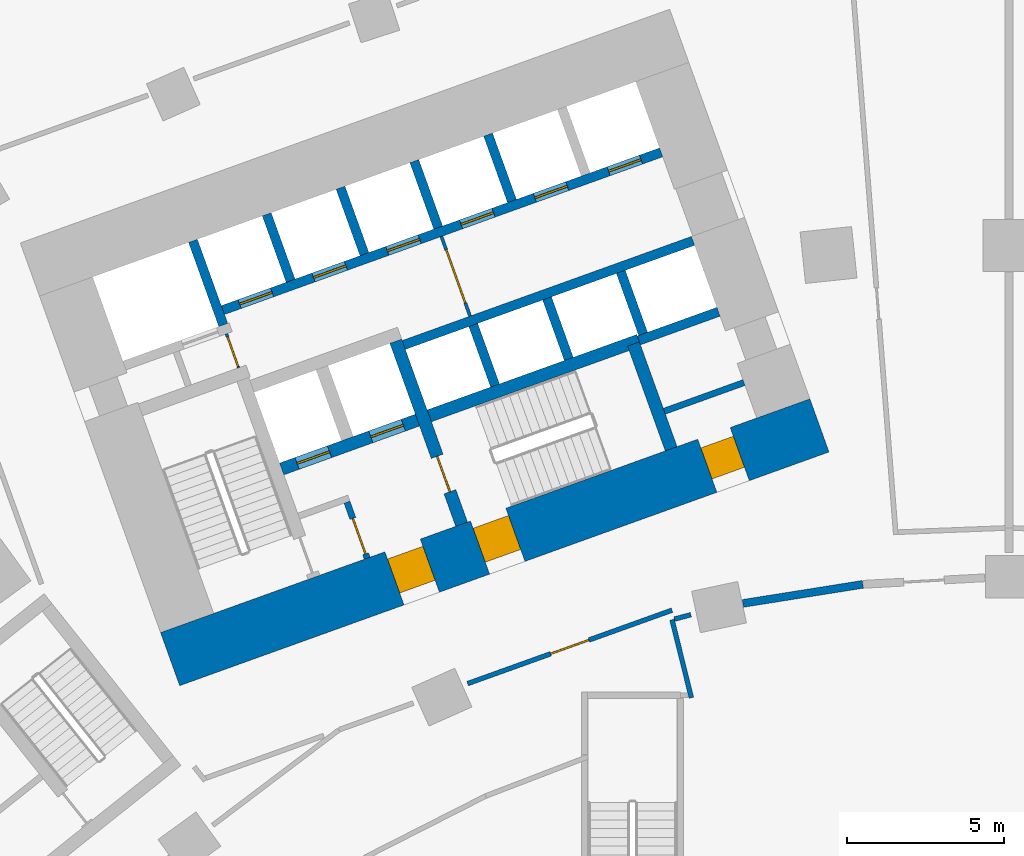
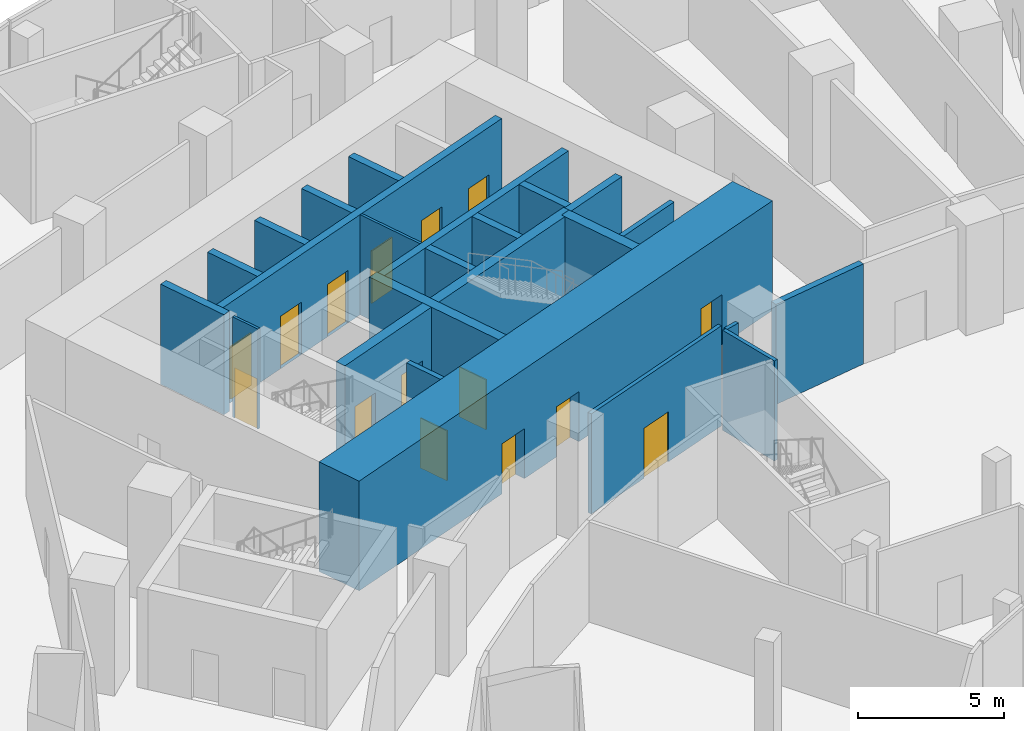
# One storey, part 23 of 39: 23 walls, 16 doors, 16 openings.
"""IFC4 building model written with IfcOpenShell, lengths in metres."""

from ifc_helpers import new_model, si_unit, direction, frame, frame_2d, origin, place, context, subcontext, project, spatial, rectangle, extrude, material, layer, layer_set, type_object, element, fill, save


model = new_model("IFC4")

# Units and contexts
model_context = context("Model", 3, precision=1e-05, world=origin(), true_north=direction((0.0, 1.0)))
body_context = subcontext(model_context, "Body", "Model", "MODEL_VIEW")
ifc_project = project(units=[si_unit("LENGTHUNIT", "METRE"), si_unit("AREAUNIT", "SQUARE_METRE"), si_unit("VOLUMEUNIT", "CUBIC_METRE"), si_unit("PLANEANGLEUNIT", "RADIAN"), si_unit("MASSUNIT", "GRAM", prefix="KILO")], contexts=[model_context])

# Site, building, storey
site_placement = place(None, origin())
site = spatial("IfcSite", under=ifc_project, at=site_placement, CompositionType="ELEMENT")
building_placement = place(site_placement, origin())
building = spatial("IfcBuilding", under=site, at=building_placement, Name="Stone Belt Terrace Tower", CompositionType="ELEMENT")
storey_placement = place(building_placement, frame((0.0, 0.0, 16.199951171875)))
storey = spatial("IfcBuildingStorey", under=building, at=storey_placement, Name="L03", CompositionType="ELEMENT", Elevation=16.199951171875)

# Wall, opening, door
ifc_material_1 = material(Name="Plasterboard partition")
ifc_layer_1 = layer(ifc_material_1, 0.10009765625)
ifc_layer_set_1 = layer_set([ifc_layer_1], Name="Core partition 100")
wall_type_1 = type_object("IfcWallType", Name="Core partition 100", PredefinedType="PARTITIONING", material=ifc_layer_set_1)
wall_1_placement = place(storey_placement, frame((-24.555908203125, 51.10400390625, 0.0), z_axis=(0.0, 0.0, 1.0), x_axis=(-0.338621735342, 0.94092258999, 0.0)))
wall_1 = element("IfcWall", 1, at=wall_1_placement, inside=storey, type_object=wall_type_1, Name="Core A wall", PredefinedType="PARTITIONING", context=body_context, shape_type="SweptSolid", body=[
    extrude(rectangle(XDim=1.14990234375, YDim=0.10009765625, at=frame_2d((0.574951171875, 0.0))), origin(), (0.0, 0.0, 1.0), 4.199951171875),
])
opening_1_placement = place(wall_1_placement, frame((0.050048828125, 0.0, 0.0)))
opening_1 = element("IfcOpeningElement", 2, at=opening_1_placement, cuts=wall_1, Name="Opening L03-C02", PredefinedType="OPENING", context=body_context, shape_type="SweptSolid", body=[
    extrude(rectangle(XDim=1.0, YDim=2.10009765625, at=frame_2d((0.5, 1.050048828125))), frame((0.0, 0.06005859375, 0.0), z_axis=(0.0, -1.0, 0.0), x_axis=(1.0, 0.0, 0.0)), (0.0, 0.0, 1.0), 0.1201171875),
])
ifc_material_2 = material(Name="Timber door leaf", Category="wood")
door_type_1 = type_object("IfcDoorType", Name="Core room door 1000", OperationType="SINGLE_SWING_LEFT", PredefinedType="DOOR", material=ifc_material_2)
door_1_placement = place(opening_1_placement, origin())
door_1 = element("IfcDoor", 3, at=door_1_placement, inside=storey, type_object=door_type_1, Name="Service lift lobby door core A", OperationType="SINGLE_SWING_RIGHT", OverallHeight=2.10009765625, OverallWidth=1.0, PredefinedType="DOOR", context=body_context, shape_type="SweptSolid", body=[
    extrude(rectangle(XDim=1.0, YDim=2.10009765625, at=frame_2d((0.5, 1.050048828125))), frame((0.0, 0.02490234375, 0.0), z_axis=(0.0, -1.0, 0.0), x_axis=(1.0, 0.0, 0.0)), (0.0, 0.0, 1.0), 0.050048828125),
])
fill(opening_1, door_1)

wall_2_placement = place(storey_placement, frame((-17.17724609375, 52.749755859375, 0.0), z_axis=(0.0, 0.0, 1.0), x_axis=(-0.338546555931, 0.940949642365, 0.0)))
wall_2 = element("IfcWall", 4, at=wall_2_placement, inside=storey, type_object=wall_type_1, Name="Core A wall", PredefinedType="PARTITIONING", context=body_context, shape_type="SweptSolid", body=[
    extrude(rectangle(XDim=2.699951171875, YDim=0.10009765625, at=frame_2d((1.35009765625, 0.0))), origin(), (0.0, 0.0, 1.0), 4.199951171875),
])
opening_2_placement = place(wall_2_placement, frame((0.449951171875, 0.0, 0.0)))
opening_2 = element("IfcOpeningElement", 5, at=opening_2_placement, cuts=wall_2, Name="Opening L03-C03", PredefinedType="OPENING", context=body_context, shape_type="SweptSolid", body=[
    extrude(rectangle(XDim=1.800048828125, YDim=2.10009765625, at=frame_2d((0.89990234375, 1.050048828125))), frame((0.0, 0.06005859375, 0.0), z_axis=(0.0, -1.0, 0.0), x_axis=(1.0, 0.0, 0.0)), (0.0, 0.0, 1.0), 0.1201171875),
])
ifc_material_3 = material(Name="Glazed aluminium door leaf", Category="aluminium")
door_type_2 = type_object("IfcDoorType", Name="Lift lobby entrance door 1800", OperationType="DOUBLE_DOOR_SINGLE_SWING", PredefinedType="DOOR", material=ifc_material_3)
door_2_placement = place(opening_2_placement, origin())
door_2 = element("IfcDoor", 6, at=door_2_placement, inside=storey, type_object=door_type_2, Name="Lift lobby double door core A", OperationType="DOUBLE_DOOR_SINGLE_SWING", OverallHeight=2.10009765625, OverallWidth=1.800048828125, PredefinedType="DOOR", context=body_context, shape_type="SweptSolid", body=[
    extrude(rectangle(XDim=1.800048828125, YDim=2.10009765625, at=frame_2d((0.89990234375, 1.050048828125))), frame((0.0, 0.02490234375, 0.0), z_axis=(0.0, -1.0, 0.0), x_axis=(1.0, 0.0, 0.0)), (0.0, 0.0, 1.0), 0.050048828125),
])
fill(opening_2, door_2)

# Wall, openings, doors
ifc_material_4 = material(Name="Concrete B80", Category="concrete")
ifc_layer_2 = layer(ifc_material_4, 1.800048828125)
ifc_layer_set_2 = layer_set([ifc_layer_2], Name="Core wall 1800 B80")
wall_type_2 = type_object("IfcWallType", Name="Core wall 1800 B80", PredefinedType="SHEAR", material=ifc_layer_set_2)
wall_3_placement = place(storey_placement, frame((-26.739501953125, 41.815673828125, 0.0), z_axis=(0.0, 0.0, 1.0), x_axis=(0.940921642213, 0.338624368902, 0.0)))
wall_3 = element("IfcWall", 7, at=wall_3_placement, inside=storey, type_object=wall_type_2, Name="Core A wall concave L03", PredefinedType="SHEAR", context=body_context, shape_type="SweptSolid", body=[
    extrude(rectangle(XDim=22.0, YDim=1.800048828125, at=frame_2d((11.0, 0.0))), origin(), (0.0, 0.0, 1.0), 4.60009765625),
])
opening_3_placement = place(wall_3_placement, frame((7.60009765625, 0.0, 0.0)))
opening_3 = element("IfcOpeningElement", 8, at=opening_3_placement, cuts=wall_3, Name="Opening L03-C07", PredefinedType="OPENING", context=body_context, shape_type="SweptSolid", body=[
    extrude(rectangle(XDim=1.199951171875, YDim=2.10009765625, at=frame_2d((0.60009765625, 1.050048828125))), frame((0.0, 0.909912109375, 0.0), z_axis=(0.0, -1.0, 0.0), x_axis=(1.0, 0.0, 0.0)), (0.0, 0.0, 1.0), 1.820068359375),
])
opening_4_placement = place(wall_3_placement, frame((10.5, 0.0, 0.0)))
opening_4 = element("IfcOpeningElement", 9, at=opening_4_placement, cuts=wall_3, Name="Opening L03-C09", PredefinedType="OPENING", context=body_context, shape_type="SweptSolid", body=[
    extrude(rectangle(XDim=1.199951171875, YDim=2.10009765625, at=frame_2d((0.60009765625, 1.050048828125))), frame((0.0, 0.909912109375, 0.0), z_axis=(0.0, -1.0, 0.0), x_axis=(1.0, 0.0, 0.0)), (0.0, 0.0, 1.0), 1.820068359375),
])
opening_5_placement = place(wall_3_placement, frame((18.199951171875, 0.0, 0.0)))
opening_5 = element("IfcOpeningElement", 10, at=opening_5_placement, cuts=wall_3, Name="Opening L03-C11", PredefinedType="OPENING", context=body_context, shape_type="SweptSolid", body=[
    extrude(rectangle(XDim=1.10009765625, YDim=2.10009765625, at=frame_2d((0.550048828125, 1.050048828125))), frame((0.0, 0.909912109375, 0.0), z_axis=(0.0, -1.0, 0.0), x_axis=(1.0, 0.0, 0.0)), (0.0, 0.0, 1.0), 1.820068359375),
])
door_type_3 = type_object("IfcDoorType", Name="Core room door 1100", OperationType="SINGLE_SWING_LEFT", PredefinedType="DOOR", material=ifc_material_2)
door_3_placement = place(opening_5_placement, origin())
door_3 = element("IfcDoor", 11, at=door_3_placement, inside=storey, type_object=door_type_3, Name="Door to Pipe riser core A", OperationType="SINGLE_SWING_RIGHT", OverallHeight=2.10009765625, OverallWidth=1.10009765625, PredefinedType="DOOR", context=body_context, shape_type="SweptSolid", body=[
    extrude(rectangle(XDim=1.10009765625, YDim=2.10009765625, at=frame_2d((0.550048828125, 1.050048828125))), frame((0.0, 0.60498046875, 0.0), z_axis=(0.0, -1.0, 0.0), x_axis=(1.0, 0.0, 0.0)), (0.0, 0.0, 1.0), 1.050048828125),
])
fill(opening_5, door_3)
ifc_material_5 = material(Name="Steel door leaf", Category="steel")
door_type_4 = type_object("IfcDoorType", Name="Fire-fighting lobby door 1200", OperationType="SINGLE_SWING_LEFT", PredefinedType="DOOR", material=ifc_material_5)
door_4_placement = place(opening_3_placement, origin())
door_4 = element("IfcDoor", 12, at=door_4_placement, inside=storey, type_object=door_type_4, Name="Fire-fighting lobby door core A", OperationType="SINGLE_SWING_RIGHT", OverallHeight=2.10009765625, OverallWidth=1.199951171875, PredefinedType="DOOR", context=body_context, shape_type="SweptSolid", body=[
    extrude(rectangle(XDim=1.199951171875, YDim=2.10009765625, at=frame_2d((0.60009765625, 1.050048828125))), frame((0.0, 0.655029296875, 0.0), z_axis=(0.0, -1.0, 0.0), x_axis=(1.0, 0.0, 0.0)), (0.0, 0.0, 1.0), 1.14990234375),
])
fill(opening_3, door_4)
door_type_5 = type_object("IfcDoorType", Name="Stair door 1200", OperationType="SINGLE_SWING_LEFT", PredefinedType="DOOR", material=ifc_material_5)
door_5_placement = place(opening_4_placement, origin())
door_5 = element("IfcDoor", 13, at=door_5_placement, inside=storey, type_object=door_type_5, Name="Stair 2 exit door core A", OperationType="SINGLE_SWING_LEFT", OverallHeight=2.10009765625, OverallWidth=1.199951171875, PredefinedType="DOOR", context=body_context, shape_type="SweptSolid", body=[
    extrude(rectangle(XDim=1.199951171875, YDim=2.10009765625, at=frame_2d((0.60009765625, 1.050048828125))), frame((0.0, 0.655029296875, 0.0), z_axis=(0.0, -1.0, 0.0), x_axis=(1.0, 0.0, 0.0)), (0.0, 0.0, 1.0), 1.14990234375),
])
fill(opening_4, door_5)

# Walls
ifc_material_6 = material(Name="Fire-resistant glazing in steel frame", Category="steel")
ifc_layer_3 = layer(ifc_material_6, 0.25)
ifc_layer_set_3 = layer_set([ifc_layer_3], Name="Glazed compartment fire screen 250")
wall_type_3 = type_object("IfcWallType", Name="Glazed compartment fire screen 250", PredefinedType="PARTITIONING", material=ifc_layer_set_3)
wall_4_placement = place(storey_placement, frame((-8.4794921875, 43.5908203125, 0.0), z_axis=(0.0, 0.0, 1.0), x_axis=(0.98758230791, 0.157102466888, 0.0)))
element("IfcWall", 14, at=wall_4_placement, inside=storey, type_object=wall_type_3, Name="Compartment fire screen L03 4", PredefinedType="PARTITIONING", context=body_context, shape_type="SweptSolid", body=[
    extrude(rectangle(XDim=3.87109375, YDim=0.25, at=frame_2d((1.935546875, 0.0))), origin(), (0.0, 0.0, 1.0), 4.199951171875),
])
ifc_layer_4 = layer(ifc_material_4, 0.300048828125)
ifc_layer_set_4 = layer_set([ifc_layer_4], Name="Lift shaft wall 300")
wall_type_4 = type_object("IfcWallType", Name="Lift shaft wall 300", PredefinedType="SHEAR", material=ifc_layer_set_4)
wall_5_placement = place(storey_placement, frame((-25.046875, 52.46826171875, 0.0), z_axis=(0.0, 0.0, 1.0), x_axis=(-0.338549588058, 0.940948551423, 0.0)))
element("IfcWall", 15, at=wall_5_placement, inside=storey, type_object=wall_type_4, Name="Core A wall", PredefinedType="SHEAR", context=body_context, shape_type="SweptSolid", body=[
    extrude(rectangle(XDim=2.849853515625, YDim=0.300048828125, at=frame_2d((1.4248046875, 0.0))), origin(), (0.0, 0.0, 1.0), 4.199951171875),
])

# Wall, openings, doors
wall_6_placement = place(storey_placement, frame((-25.05810546875, 52.9423828125, 0.0), z_axis=(0.0, 0.0, 1.0), x_axis=(0.940918215764, 0.338633889685, 0.0)))
wall_6 = element("IfcWall", 16, at=wall_6_placement, inside=storey, type_object=wall_type_4, Name="Core A wall", PredefinedType="SHEAR", context=body_context, shape_type="SweptSolid", body=[
    extrude(rectangle(XDim=14.850341796875, YDim=0.300048828125, at=frame_2d((7.42529296875, 0.0))), origin(), (0.0, 0.0, 1.0), 4.199951171875),
])
opening_6_placement = place(wall_6_placement, frame((0.570068359375, 0.0, 0.0)))
opening_6 = element("IfcOpeningElement", 17, at=opening_6_placement, cuts=wall_6, Name="Opening L03-LD01", PredefinedType="OPENING", context=body_context, shape_type="SweptSolid", body=[
    extrude(rectangle(XDim=1.10009765625, YDim=2.199951171875, at=frame_2d((0.550048828125, 1.10009765625))), frame((0.0, 0.159912109375, 0.0), z_axis=(0.0, -1.0, 0.0), x_axis=(1.0, 0.0, 0.0)), (0.0, 0.0, 1.0), 0.320068359375),
])
opening_7_placement = place(wall_6_placement, frame((3.070068359375, 0.0, 0.0)))
opening_7 = element("IfcOpeningElement", 18, at=opening_7_placement, cuts=wall_6, Name="Opening L03-LD02", PredefinedType="OPENING", context=body_context, shape_type="SweptSolid", body=[
    extrude(rectangle(XDim=1.10009765625, YDim=2.199951171875, at=frame_2d((0.550048828125, 1.10009765625))), frame((0.0, 0.159912109375, 0.0), z_axis=(0.0, -1.0, 0.0), x_axis=(1.0, 0.0, 0.0)), (0.0, 0.0, 1.0), 0.320068359375),
])
opening_8_placement = place(wall_6_placement, frame((5.570068359375, 0.0, 0.0)))
opening_8 = element("IfcOpeningElement", 19, at=opening_8_placement, cuts=wall_6, Name="Opening L03-LD03", PredefinedType="OPENING", context=body_context, shape_type="SweptSolid", body=[
    extrude(rectangle(XDim=1.10009765625, YDim=2.199951171875, at=frame_2d((0.550048828125, 1.10009765625))), frame((0.0, 0.159912109375, 0.0), z_axis=(0.0, -1.0, 0.0), x_axis=(1.0, 0.0, 0.0)), (0.0, 0.0, 1.0), 0.320068359375),
])
opening_9_placement = place(wall_6_placement, frame((8.070068359375, 0.0, 0.0)))
opening_9 = element("IfcOpeningElement", 20, at=opening_9_placement, cuts=wall_6, Name="Opening L03-LD04", PredefinedType="OPENING", context=body_context, shape_type="SweptSolid", body=[
    extrude(rectangle(XDim=1.10009765625, YDim=2.199951171875, at=frame_2d((0.550048828125, 1.10009765625))), frame((0.0, 0.159912109375, 0.0), z_axis=(0.0, -1.0, 0.0), x_axis=(1.0, 0.0, 0.0)), (0.0, 0.0, 1.0), 0.320068359375),
])
opening_10_placement = place(wall_6_placement, frame((10.570068359375, 0.0, 0.0)))
opening_10 = element("IfcOpeningElement", 21, at=opening_10_placement, cuts=wall_6, Name="Opening L03-LD05", PredefinedType="OPENING", context=body_context, shape_type="SweptSolid", body=[
    extrude(rectangle(XDim=1.10009765625, YDim=2.199951171875, at=frame_2d((0.550048828125, 1.10009765625))), frame((0.0, 0.159912109375, 0.0), z_axis=(0.0, -1.0, 0.0), x_axis=(1.0, 0.0, 0.0)), (0.0, 0.0, 1.0), 0.320068359375),
])
opening_11_placement = place(wall_6_placement, frame((13.070068359375, 0.0, 0.0)))
opening_11 = element("IfcOpeningElement", 22, at=opening_11_placement, cuts=wall_6, Name="Opening L03-LD06", PredefinedType="OPENING", context=body_context, shape_type="SweptSolid", body=[
    extrude(rectangle(XDim=1.10009765625, YDim=2.199951171875, at=frame_2d((0.550048828125, 1.10009765625))), frame((0.0, 0.159912109375, 0.0), z_axis=(0.0, -1.0, 0.0), x_axis=(1.0, 0.0, 0.0)), (0.0, 0.0, 1.0), 0.320068359375),
])
ifc_material_7 = material(Name="Stainless steel door leaf", Category="steel")
door_type_6 = type_object("IfcDoorType", Name="Landing door 1100", OperationType="SLIDING_TO_LEFT", PredefinedType="DOOR", material=ifc_material_7)
door_6_placement = place(opening_6_placement, origin())
door_6 = element("IfcDoor", 23, at=door_6_placement, inside=storey, type_object=door_type_6, Name="Landing door LR1 core A", OperationType="SLIDING_TO_LEFT", OverallHeight=2.199951171875, OverallWidth=1.10009765625, PredefinedType="DOOR", context=body_context, shape_type="SweptSolid", body=[
    extrude(rectangle(XDim=1.10009765625, YDim=2.199951171875, at=frame_2d((0.550048828125, 1.10009765625))), frame((0.0, 0.02490234375, 0.0), z_axis=(0.0, -1.0, 0.0), x_axis=(1.0, 0.0, 0.0)), (0.0, 0.0, 1.0), 0.050048828125),
])
fill(opening_6, door_6)
door_7_placement = place(opening_7_placement, origin())
door_7 = element("IfcDoor", 24, at=door_7_placement, inside=storey, type_object=door_type_6, Name="Landing door LR2 core A", OperationType="SLIDING_TO_LEFT", OverallHeight=2.199951171875, OverallWidth=1.10009765625, PredefinedType="DOOR", context=body_context, shape_type="SweptSolid", body=[
    extrude(rectangle(XDim=1.10009765625, YDim=2.199951171875, at=frame_2d((0.550048828125, 1.10009765625))), frame((0.0, 0.02490234375, 0.0), z_axis=(0.0, -1.0, 0.0), x_axis=(1.0, 0.0, 0.0)), (0.0, 0.0, 1.0), 0.050048828125),
])
fill(opening_7, door_7)
door_8_placement = place(opening_8_placement, origin())
door_8 = element("IfcDoor", 25, at=door_8_placement, inside=storey, type_object=door_type_6, Name="Landing door LR3 core A", OperationType="SLIDING_TO_LEFT", OverallHeight=2.199951171875, OverallWidth=1.10009765625, PredefinedType="DOOR", context=body_context, shape_type="SweptSolid", body=[
    extrude(rectangle(XDim=1.10009765625, YDim=2.199951171875, at=frame_2d((0.550048828125, 1.10009765625))), frame((0.0, 0.02490234375, 0.0), z_axis=(0.0, -1.0, 0.0), x_axis=(1.0, 0.0, 0.0)), (0.0, 0.0, 1.0), 0.050048828125),
])
fill(opening_8, door_8)
door_9_placement = place(opening_9_placement, origin())
door_9 = element("IfcDoor", 26, at=door_9_placement, inside=storey, type_object=door_type_6, Name="Landing door LR4 core A", OperationType="SLIDING_TO_LEFT", OverallHeight=2.199951171875, OverallWidth=1.10009765625, PredefinedType="DOOR", context=body_context, shape_type="SweptSolid", body=[
    extrude(rectangle(XDim=1.10009765625, YDim=2.199951171875, at=frame_2d((0.550048828125, 1.10009765625))), frame((0.0, 0.02490234375, 0.0), z_axis=(0.0, -1.0, 0.0), x_axis=(1.0, 0.0, 0.0)), (0.0, 0.0, 1.0), 0.050048828125),
])
fill(opening_9, door_9)
door_10_placement = place(opening_10_placement, origin())
door_10 = element("IfcDoor", 27, at=door_10_placement, inside=storey, type_object=door_type_6, Name="Landing door LR5 core A", OperationType="SLIDING_TO_LEFT", OverallHeight=2.199951171875, OverallWidth=1.10009765625, PredefinedType="DOOR", context=body_context, shape_type="SweptSolid", body=[
    extrude(rectangle(XDim=1.10009765625, YDim=2.199951171875, at=frame_2d((0.550048828125, 1.10009765625))), frame((0.0, 0.02490234375, 0.0), z_axis=(0.0, -1.0, 0.0), x_axis=(1.0, 0.0, 0.0)), (0.0, 0.0, 1.0), 0.050048828125),
])
fill(opening_10, door_10)
door_11_placement = place(opening_11_placement, origin())
door_11 = element("IfcDoor", 28, at=door_11_placement, inside=storey, type_object=door_type_6, Name="Landing door LR6 core A", OperationType="SLIDING_TO_LEFT", OverallHeight=2.199951171875, OverallWidth=1.10009765625, PredefinedType="DOOR", context=body_context, shape_type="SweptSolid", body=[
    extrude(rectangle(XDim=1.10009765625, YDim=2.199951171875, at=frame_2d((0.550048828125, 1.10009765625))), frame((0.0, 0.02490234375, 0.0), z_axis=(0.0, -1.0, 0.0), x_axis=(1.0, 0.0, 0.0)), (0.0, 0.0, 1.0), 0.050048828125),
])
fill(opening_11, door_11)

# Walls
wall_7_placement = place(storey_placement, frame((-22.897705078125, 53.87939453125, 0.0), z_axis=(0.0, 0.0, 1.0), x_axis=(-0.338535034312, 0.940953787677, 0.0)))
element("IfcWall", 29, at=wall_7_placement, inside=storey, type_object=wall_type_4, Name="Core A wall", PredefinedType="SHEAR", context=body_context, shape_type="SweptSolid", body=[
    extrude(rectangle(XDim=2.25, YDim=0.300048828125, at=frame_2d((1.125, 0.0))), origin(), (0.0, 0.0, 1.0), 4.199951171875),
])
wall_8_placement = place(storey_placement, frame((-19.29052734375, 51.829833984375, 0.0), z_axis=(0.0, 0.0, 1.0), x_axis=(0.940925833398, 0.338612722803, 0.0)))
element("IfcWall", 30, at=wall_8_placement, inside=storey, type_object=wall_type_4, Name="Core A wall", PredefinedType="SHEAR", context=body_context, shape_type="SweptSolid", body=[
    extrude(rectangle(XDim=9.7998046875, YDim=0.300048828125, at=frame_2d((4.89990234375, 0.0))), origin(), (0.0, 0.0, 1.0), 4.199951171875),
])
wall_9_placement = place(storey_placement, frame((-20.54541015625, 54.72607421875, 0.0), z_axis=(0.0, 0.0, 1.0), x_axis=(-0.338569601369, 0.940941350472, 0.0)))
element("IfcWall", 31, at=wall_9_placement, inside=storey, type_object=wall_type_4, Name="Core A wall", PredefinedType="SHEAR", context=body_context, shape_type="SweptSolid", body=[
    extrude(rectangle(XDim=2.249755859375, YDim=0.300048828125, at=frame_2d((1.125, 0.0))), origin(), (0.0, 0.0, 1.0), 4.199951171875),
])
wall_10_placement = place(storey_placement, frame((-16.38134765625, 50.53857421875, 0.0), z_axis=(0.0, 0.0, 1.0), x_axis=(-0.338681515556, 0.940901073982, 0.0)))
element("IfcWall", 32, at=wall_10_placement, inside=storey, type_object=wall_type_4, Name="Core A wall", PredefinedType="SHEAR", context=body_context, shape_type="SweptSolid", body=[
    extrude(rectangle(XDim=2.050048828125, YDim=0.300048828125, at=frame_2d((1.02490234375, 0.0))), origin(), (0.0, 0.0, 1.0), 4.199951171875),
])
wall_11_placement = place(storey_placement, frame((-18.193115234375, 55.572509765625, 0.0), z_axis=(0.0, 0.0, 1.0), x_axis=(-0.338535034312, 0.940953787677, 0.0)))
element("IfcWall", 33, at=wall_11_placement, inside=storey, type_object=wall_type_4, Name="Core A wall", PredefinedType="SHEAR", context=body_context, shape_type="SweptSolid", body=[
    extrude(rectangle(XDim=2.25, YDim=0.300048828125, at=frame_2d((1.125, 0.0))), origin(), (0.0, 0.0, 1.0), 4.199951171875),
])
wall_12_placement = place(storey_placement, frame((-14.029052734375, 51.38525390625, 0.0), z_axis=(0.0, 0.0, 1.0), x_axis=(-0.338681515556, 0.940901073982, 0.0)))
element("IfcWall", 34, at=wall_12_placement, inside=storey, type_object=wall_type_4, Name="Core A wall", PredefinedType="SHEAR", context=body_context, shape_type="SweptSolid", body=[
    extrude(rectangle(XDim=2.050048828125, YDim=0.300048828125, at=frame_2d((1.02490234375, 0.0))), origin(), (0.0, 0.0, 1.0), 4.199951171875),
])
wall_13_placement = place(storey_placement, frame((-15.8408203125, 56.419189453125, 0.0), z_axis=(0.0, 0.0, 1.0), x_axis=(-0.338569601369, 0.940941350472, 0.0)))
element("IfcWall", 35, at=wall_13_placement, inside=storey, type_object=wall_type_4, Name="Core A wall", PredefinedType="SHEAR", context=body_context, shape_type="SweptSolid", body=[
    extrude(rectangle(XDim=2.249755859375, YDim=0.300048828125, at=frame_2d((1.125, 0.0))), origin(), (0.0, 0.0, 1.0), 4.199951171875),
])
wall_14_placement = place(storey_placement, frame((-11.797119140625, 51.975830078125, 0.0), z_axis=(0.0, 0.0, 1.0), x_axis=(0.940910465161, 0.33865542451, 0.0)))
element("IfcWall", 36, at=wall_14_placement, inside=storey, type_object=wall_type_4, Name="Core A wall", PredefinedType="SHEAR", context=body_context, shape_type="SweptSolid", body=[
    extrude(rectangle(XDim=2.69970703125, YDim=0.300048828125, at=frame_2d((1.349853515625, 0.0))), origin(), (0.0, 0.0, 1.0), 4.199951171875),
])
wall_15_placement = place(storey_placement, frame((-11.659912109375, 52.184814453125, 0.0), z_axis=(0.0, 0.0, 1.0), x_axis=(-0.338670064856, 0.940905195634, 0.0)))
element("IfcWall", 37, at=wall_15_placement, inside=storey, type_object=wall_type_4, Name="Core A wall", PredefinedType="SHEAR", context=body_context, shape_type="SweptSolid", body=[
    extrude(rectangle(XDim=2.099853515625, YDim=0.300048828125, at=frame_2d((1.0498046875, 0.0))), origin(), (0.0, 0.0, 1.0), 4.199951171875),
])

# Wall, opening, door
ifc_material_8 = material(Name="Gypsum board on steel stud partition", Category="steel")
ifc_layer_5 = layer(ifc_material_8, 0.14990234375)
ifc_layer_set_5 = layer_set([ifc_layer_5], Name="Podium partition 150")
wall_type_5 = type_object("IfcWallType", Name="Podium partition 150", PredefinedType="PARTITIONING", material=ifc_layer_set_5)
wall_16_placement = place(storey_placement, frame((-17.25439453125, 41.035400390625, 0.0), z_axis=(0.0, 0.0, 1.0), x_axis=(0.941138010453, 0.338022551437, 0.0)))
wall_16 = element("IfcWall", 38, at=wall_16_placement, inside=storey, type_object=wall_type_5, Name="Podium partition 150", PredefinedType="PARTITIONING", context=body_context, shape_type="SweptSolid", body=[
    extrude(rectangle(XDim=6.9228515625, YDim=0.14990234375, at=frame_2d((3.46142578125, 0.0))), origin(), (0.0, 0.0, 1.0), 4.199951171875),
])
opening_12_placement = place(wall_16_placement, frame((2.811279296875, 0.0, 0.0)))
opening_12 = element("IfcOpeningElement", 39, at=opening_12_placement, cuts=wall_16, Name="Opening L03-P29", PredefinedType="OPENING", context=body_context, shape_type="SweptSolid", body=[
    extrude(rectangle(XDim=1.300048828125, YDim=2.10009765625, at=frame_2d((0.64990234375, 1.050048828125))), frame((0.0, 0.0849609375, 0.0), z_axis=(0.0, -1.0, 0.0), x_axis=(1.0, 0.0, 0.0)), (0.0, 0.0, 1.0), 0.169921875),
])
ifc_material_9 = material(Name="Steel framed fire door leaf", Category="steel")
door_type_7 = type_object("IfcDoorType", Name="Fire door 1300 x 2100 EI 60", OperationType="SINGLE_SWING_LEFT", PredefinedType="DOOR", material=ifc_material_9)
door_12_placement = place(opening_12_placement, origin())
door_12 = element("IfcDoor", 40, at=door_12_placement, inside=storey, type_object=door_type_7, Name="Fire door 1300 x 2100 EI 60", OperationType="SINGLE_SWING_LEFT", OverallHeight=2.10009765625, OverallWidth=1.300048828125, PredefinedType="DOOR", context=body_context, shape_type="SweptSolid", body=[
    extrude(rectangle(XDim=1.300048828125, YDim=2.10009765625, at=frame_2d((0.64990234375, 1.050048828125))), frame((0.0, 0.02490234375, 0.0), z_axis=(0.0, -1.0, 0.0), x_axis=(1.0, 0.0, 0.0)), (0.0, 0.0, 1.0), 0.050048828125),
])
fill(opening_12, door_12)

# Walls
wall_17_placement = place(storey_placement, frame((-10.739990234375, 43.070068359375, 0.0), z_axis=(0.0, 0.0, 1.0), x_axis=(0.241570970903, -0.970383154232, 0.0)))
element("IfcWall", 41, at=wall_17_placement, inside=storey, type_object=wall_type_5, Name="Podium partition 150", PredefinedType="PARTITIONING", context=body_context, shape_type="SweptSolid", body=[
    extrude(rectangle(XDim=2.56103515625, YDim=0.14990234375, at=frame_2d((1.280517578125, 0.0))), origin(), (0.0, 0.0, 1.0), 4.199951171875),
])
wall_18_placement = place(storey_placement, frame((-10.66748046875, 43.08935546875, 0.0), z_axis=(0.0, 0.0, 1.0), x_axis=(0.966249732603, 0.257607170408, 0.0)))
element("IfcWall", 42, at=wall_18_placement, inside=storey, type_object=wall_type_5, Name="Podium partition 150", PredefinedType="PARTITIONING", context=body_context, shape_type="SweptSolid", body=[
    extrude(rectangle(XDim=0.5478515625, YDim=0.14990234375, at=frame_2d((0.27392578125, 0.0))), origin(), (0.0, 0.0, 1.0), 4.199951171875),
])

# Wall, opening, door
ifc_material_10 = material(Name="Concrete masonry block", Category="masonry")
ifc_layer_6 = layer(ifc_material_10, 0.199951171875)
ifc_layer_set_6 = layer_set([ifc_layer_6], Name="Rated lobby wall 200")
wall_type_6 = type_object("IfcWallType", Name="Rated lobby wall 200", PredefinedType="PARTITIONING", material=ifc_layer_set_6)
wall_19_placement = place(storey_placement, frame((-20.4580078125, 45.032958984375, 0.0), z_axis=(0.0, 0.0, 1.0), x_axis=(-0.338573865316, 0.940939816208, 0.0)))
wall_19 = element("IfcWall", 43, at=wall_19_placement, inside=storey, type_object=wall_type_6, Name="Core A wall", PredefinedType="PARTITIONING", context=body_context, shape_type="SweptSolid", body=[
    extrude(rectangle(XDim=1.900146484375, YDim=0.199951171875, at=frame_2d((0.9501953125, 0.0))), origin(), (0.0, 0.0, 1.0), 4.199951171875),
])
opening_13_placement = place(wall_19_placement, frame((0.14990234375, 0.0, 0.0)))
opening_13 = element("IfcOpeningElement", 44, at=opening_13_placement, cuts=wall_19, Name="Opening L03-C06", PredefinedType="OPENING", context=body_context, shape_type="SweptSolid", body=[
    extrude(rectangle(XDim=1.199951171875, YDim=2.10009765625, at=frame_2d((0.60009765625, 1.050048828125))), frame((0.0, 0.10986328125, 0.0), z_axis=(0.0, -1.0, 0.0), x_axis=(1.0, 0.0, 0.0)), (0.0, 0.0, 1.0), 0.219970703125),
])
door_13_placement = place(opening_13_placement, origin())
door_13 = element("IfcDoor", 45, at=door_13_placement, inside=storey, type_object=door_type_5, Name="Stair airlock door core A", OperationType="SINGLE_SWING_RIGHT", OverallHeight=2.10009765625, OverallWidth=1.199951171875, PredefinedType="DOOR", context=body_context, shape_type="SweptSolid", body=[
    extrude(rectangle(XDim=1.199951171875, YDim=2.10009765625, at=frame_2d((0.60009765625, 1.050048828125))), frame((0.0, 0.02490234375, 0.0), z_axis=(0.0, -1.0, 0.0), x_axis=(1.0, 0.0, 0.0)), (0.0, 0.0, 1.0), 0.050048828125),
])
fill(opening_13, door_13)

# Wall
wall_20_placement = place(storey_placement, frame((-10.984619140625, 49.717529296875, 0.0), z_axis=(0.0, 0.0, 1.0), x_axis=(0.940920834877, 0.338626612206, 0.0)))
element("IfcWall", 46, at=wall_20_placement, inside=storey, type_object=wall_type_6, Name="Core A wall", PredefinedType="PARTITIONING", context=body_context, shape_type="SweptSolid", body=[
    extrude(rectangle(XDim=2.699951171875, YDim=0.199951171875, at=frame_2d((1.35009765625, 0.0))), origin(), (0.0, 0.0, 1.0), 4.199951171875),
])

# Wall, openings, doors
ifc_layer_7 = layer(ifc_material_4, 0.39990234375)
ifc_layer_set_7 = layer_set([ifc_layer_7], Name="Stair enclosure wall 400")
wall_type_7 = type_object("IfcWallType", Name="Stair enclosure wall 400", PredefinedType="SHEAR", material=ifc_layer_set_7)
wall_21_placement = place(storey_placement, frame((-23.182373046875, 47.87841796875, 0.0), z_axis=(0.0, 0.0, 1.0), x_axis=(0.940921101762, 0.338625870628, 0.0)))
wall_21 = element("IfcWall", 47, at=wall_21_placement, inside=storey, type_object=wall_type_7, Name="Core A wall", PredefinedType="SHEAR", context=body_context, shape_type="SweptSolid", body=[
    extrude(rectangle(XDim=12.10009765625, YDim=0.39990234375, at=frame_2d((6.050048828125, 0.0))), origin(), (0.0, 0.0, 1.0), 4.199951171875),
])
opening_14_placement = place(wall_21_placement, frame((0.52001953125, 0.0, 0.0)))
opening_14 = element("IfcOpeningElement", 48, at=opening_14_placement, cuts=wall_21, Name="Opening L03-LD07", PredefinedType="OPENING", context=body_context, shape_type="SweptSolid", body=[
    extrude(rectangle(XDim=1.10009765625, YDim=2.199951171875, at=frame_2d((0.550048828125, 1.10009765625))), frame((0.0, 0.2099609375, 0.0), z_axis=(0.0, -1.0, 0.0), x_axis=(1.0, 0.0, 0.0)), (0.0, 0.0, 1.0), 0.419921875),
])
opening_15_placement = place(wall_21_placement, frame((3.02001953125, 0.0, 0.0)))
opening_15 = element("IfcOpeningElement", 49, at=opening_15_placement, cuts=wall_21, Name="Opening L03-LD08", PredefinedType="OPENING", context=body_context, shape_type="SweptSolid", body=[
    extrude(rectangle(XDim=1.10009765625, YDim=2.199951171875, at=frame_2d((0.550048828125, 1.10009765625))), frame((0.0, 0.2099609375, 0.0), z_axis=(0.0, -1.0, 0.0), x_axis=(1.0, 0.0, 0.0)), (0.0, 0.0, 1.0), 0.419921875),
])
door_14_placement = place(opening_14_placement, origin())
door_14 = element("IfcDoor", 50, at=door_14_placement, inside=storey, type_object=door_type_6, Name="Landing door FF1 core A", OperationType="SLIDING_TO_LEFT", OverallHeight=2.199951171875, OverallWidth=1.10009765625, PredefinedType="DOOR", context=body_context, shape_type="SweptSolid", body=[
    extrude(rectangle(XDim=1.10009765625, YDim=2.199951171875, at=frame_2d((0.550048828125, 1.10009765625))), frame((0.0, 0.02490234375, 0.0), z_axis=(0.0, -1.0, 0.0), x_axis=(1.0, 0.0, 0.0)), (0.0, 0.0, 1.0), 0.050048828125),
])
fill(opening_14, door_14)
door_15_placement = place(opening_15_placement, origin())
door_15 = element("IfcDoor", 51, at=door_15_placement, inside=storey, type_object=door_type_6, Name="Landing door FF2 core A", OperationType="SLIDING_TO_LEFT", OverallHeight=2.199951171875, OverallWidth=1.10009765625, PredefinedType="DOOR", context=body_context, shape_type="SweptSolid", body=[
    extrude(rectangle(XDim=1.10009765625, YDim=2.199951171875, at=frame_2d((0.550048828125, 1.10009765625))), frame((0.0, 0.02490234375, 0.0), z_axis=(0.0, -1.0, 0.0), x_axis=(1.0, 0.0, 0.0)), (0.0, 0.0, 1.0), 0.050048828125),
])
fill(opening_15, door_15)

# Wall, opening, door
wall_22_placement = place(storey_placement, frame((-17.447021484375, 46.116455078125, 0.0), z_axis=(0.0, 0.0, 1.0), x_axis=(-0.33860791464, 0.940927563707, 0.0)))
wall_22 = element("IfcWall", 52, at=wall_22_placement, inside=storey, type_object=wall_type_7, Name="Core A wall", PredefinedType="SHEAR", context=body_context, shape_type="SweptSolid", body=[
    extrude(rectangle(XDim=6.199951171875, YDim=0.39990234375, at=frame_2d((3.10009765625, 0.0))), origin(), (0.0, 0.0, 1.0), 4.199951171875),
])
opening_16_placement = place(wall_22_placement, frame((1.10009765625, 0.0, 0.0)))
opening_16 = element("IfcOpeningElement", 53, at=opening_16_placement, cuts=wall_22, Name="Opening L03-C08", PredefinedType="OPENING", context=body_context, shape_type="SweptSolid", body=[
    extrude(rectangle(XDim=1.199951171875, YDim=2.10009765625, at=frame_2d((0.60009765625, 1.050048828125))), frame((0.0, 0.2099609375, 0.0), z_axis=(0.0, -1.0, 0.0), x_axis=(1.0, 0.0, 0.0)), (0.0, 0.0, 1.0), 0.419921875),
])
door_16_placement = place(opening_16_placement, origin())
door_16 = element("IfcDoor", 54, at=door_16_placement, inside=storey, type_object=door_type_5, Name="Stair 2 door core A", OperationType="SINGLE_SWING_RIGHT", OverallHeight=2.10009765625, OverallWidth=1.199951171875, PredefinedType="DOOR", context=body_context, shape_type="SweptSolid", body=[
    extrude(rectangle(XDim=1.199951171875, YDim=2.10009765625, at=frame_2d((0.60009765625, 1.050048828125))), frame((0.0, 0.02490234375, 0.0), z_axis=(0.0, -1.0, 0.0), x_axis=(1.0, 0.0, 0.0)), (0.0, 0.0, 1.0), 0.050048828125),
])
fill(opening_16, door_16)

# Wall
wall_23_placement = place(storey_placement, frame((-10.766357421875, 48.520751953125, 0.0), z_axis=(0.0, 0.0, 1.0), x_axis=(-0.338626928157, 0.94092072117, 0.0)))
element("IfcWall", 55, at=wall_23_placement, inside=storey, type_object=wall_type_7, Name="Core A wall", PredefinedType="SHEAR", context=body_context, shape_type="SweptSolid", body=[
    extrude(rectangle(XDim=3.550048828125, YDim=0.39990234375, at=frame_2d((1.77490234375, 0.0))), origin(), (0.0, 0.0, 1.0), 4.199951171875),
])

save(model, "model.ifc")
